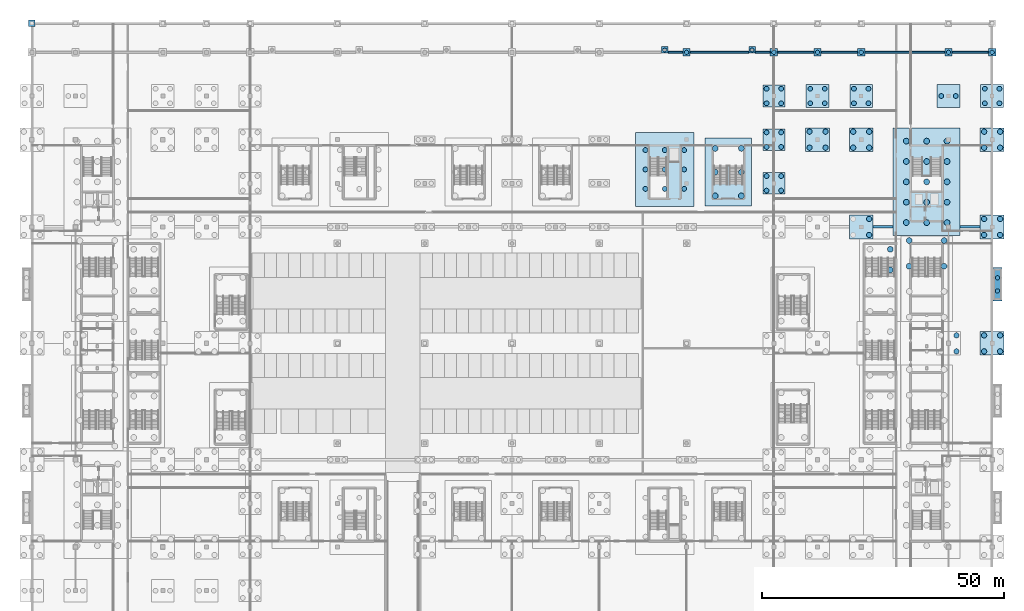
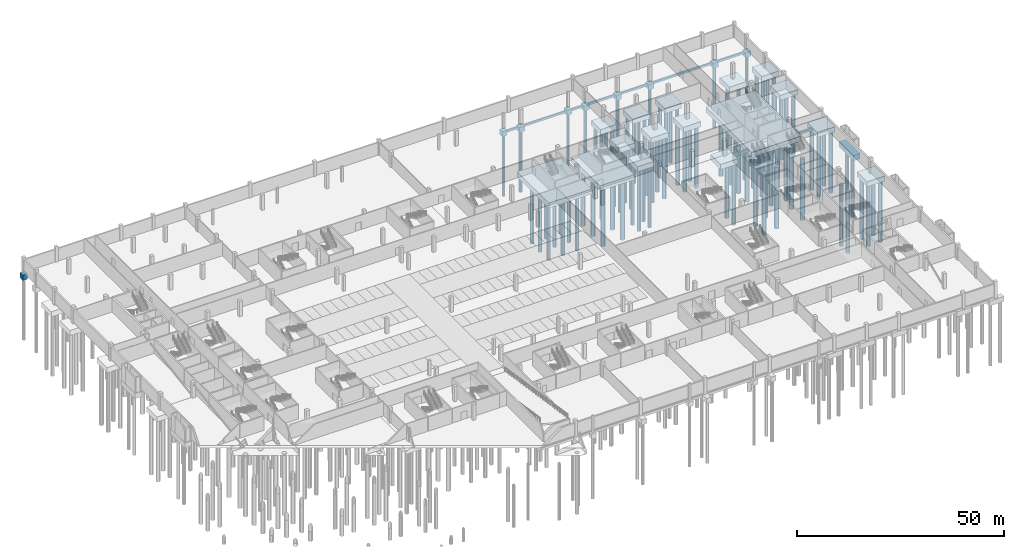
# One storey, part 7 of 46: 96 piles, 35 footings.
"""IFC4 building model written with IfcOpenShell, lengths in metres."""

from ifc_helpers import new_model, si_unit, direction, frame, origin, origin_2d, place, context, subcontext, project, spatial, polyline, circle, outline, extrude, material, material_profile, profile_set, type_object, element, save


model = new_model("IFC4")

# Units and contexts
model_context = context("Model", 3, precision=1e-05, world=origin(), true_north=direction((0.0, 1.0)))
body_context = subcontext(model_context, "Body", "Model", "MODEL_VIEW")
ifc_project = project(units=[si_unit("LENGTHUNIT", "METRE"), si_unit("AREAUNIT", "SQUARE_METRE"), si_unit("VOLUMEUNIT", "CUBIC_METRE"), si_unit("PLANEANGLEUNIT", "RADIAN"), si_unit("MASSUNIT", "GRAM", prefix="KILO")], contexts=[model_context])

# Site, building, storey
site_placement = place(None, origin())
site = spatial("IfcSite", under=ifc_project, at=site_placement, CompositionType="ELEMENT")
building_placement = place(site_placement, origin())
building = spatial("IfcBuilding", under=site, at=building_placement, Name="Kisiwana Market Hall", CompositionType="ELEMENT")
storey_placement = place(building_placement, frame((0.0, 0.0, -4.5)))
storey = spatial("IfcBuildingStorey", under=building, at=storey_placement, Name="B1", CompositionType="ELEMENT", Elevation=-4.5)

# Footings
ifc_material_1 = material(Name="Concrete C40/50", Category="concrete")
footing_type_1 = type_object("IfcFootingType", Name="FB-TIE-400x650", PredefinedType="FOOTING_BEAM", material=ifc_material_1)
footing_1_placement = place(storey_placement, frame((0.0, 0.0, -1.10009765625)))
element("IfcFooting", 1, at=footing_1_placement, inside=storey, type_object=footing_type_1, Name="Ground tie beam F-265", PredefinedType="FOOTING_BEAM", context=body_context, shape_type="SweptSolid", body=[
    extrude(outline(polyline([(131.175048828125, 119.800048828125), (134.25, 119.800048828125), (134.25, 120.199951171875), (131.175048828125, 120.199951171875), (131.175048828125, 119.800048828125)])), origin(), (0.0, 0.0, 1.0), 0.650146484375),
])
footing_2_placement = place(storey_placement, frame((0.0, 0.0, -1.10009765625)))
element("IfcFooting", 2, at=footing_2_placement, inside=storey, type_object=footing_type_1, Name="Ground tie beam F-266", PredefinedType="FOOTING_BEAM", context=body_context, shape_type="SweptSolid", body=[
    extrude(outline(polyline([(135.75, 119.800048828125), (147.824951171875, 119.800048828125), (147.824951171875, 120.199951171875), (135.75, 120.199951171875), (135.75, 119.800048828125)])), origin(), (0.0, 0.0, 1.0), 0.650146484375),
])
footing_3_placement = place(storey_placement, frame((0.0, 0.0, -1.10009765625)))
element("IfcFooting", 3, at=footing_3_placement, inside=storey, type_object=footing_type_1, Name="Ground tie beam F-267", PredefinedType="FOOTING_BEAM", context=body_context, shape_type="SweptSolid", body=[
    extrude(outline(polyline([(149.175048828125, 119.800048828125), (152.25, 119.800048828125), (152.25, 120.199951171875), (149.175048828125, 120.199951171875), (149.175048828125, 119.800048828125)])), origin(), (0.0, 0.0, 1.0), 0.650146484375),
])
footing_4_placement = place(storey_placement, frame((0.0, 0.0, -1.10009765625)))
element("IfcFooting", 4, at=footing_4_placement, inside=storey, type_object=footing_type_1, Name="Ground tie beam F-268", PredefinedType="FOOTING_BEAM", context=body_context, shape_type="SweptSolid", body=[
    extrude(outline(polyline([(153.75, 119.800048828125), (161.25, 119.800048828125), (161.25, 120.199951171875), (153.75, 120.199951171875), (153.75, 119.800048828125)])), origin(), (0.0, 0.0, 1.0), 0.650146484375),
])
footing_5_placement = place(storey_placement, frame((0.0, 0.0, -1.10009765625)))
element("IfcFooting", 5, at=footing_5_placement, inside=storey, type_object=footing_type_1, Name="Ground tie beam F-269", PredefinedType="FOOTING_BEAM", context=body_context, shape_type="SweptSolid", body=[
    extrude(outline(polyline([(162.75, 119.800048828125), (170.25, 119.800048828125), (170.25, 120.199951171875), (162.75, 120.199951171875), (162.75, 119.800048828125)])), origin(), (0.0, 0.0, 1.0), 0.650146484375),
])
footing_6_placement = place(storey_placement, frame((0.0, 0.0, -1.10009765625)))
element("IfcFooting", 6, at=footing_6_placement, inside=storey, type_object=footing_type_1, Name="Ground tie beam F-270", PredefinedType="FOOTING_BEAM", context=body_context, shape_type="SweptSolid", body=[
    extrude(outline(polyline([(171.75, 119.800048828125), (188.25, 119.800048828125), (188.25, 120.199951171875), (171.75, 120.199951171875), (171.75, 119.800048828125)])), origin(), (0.0, 0.0, 1.0), 0.650146484375),
])
footing_7_placement = place(storey_placement, frame((0.0, 0.0, -1.10009765625)))
element("IfcFooting", 7, at=footing_7_placement, inside=storey, type_object=footing_type_1, Name="Ground tie beam F-271", PredefinedType="FOOTING_BEAM", context=body_context, shape_type="SweptSolid", body=[
    extrude(outline(polyline([(189.75, 119.800048828125), (197.25, 119.800048828125), (197.25, 120.199951171875), (189.75, 120.199951171875), (189.75, 119.800048828125)])), origin(), (0.0, 0.0, 1.0), 0.650146484375),
])
ifc_material_2 = material(Name="Concrete C40/50", Category="concrete")
footing_type_2 = type_object("IfcFootingType", Name="FB-TIE-500x750", PredefinedType="FOOTING_BEAM", material=ifc_material_2)
footing_8_placement = place(storey_placement, frame((0.0, 0.0, -1.199951171875)))
element("IfcFooting", 8, at=footing_8_placement, inside=storey, type_object=footing_type_2, Name="Ground tie beam F-250", PredefinedType="FOOTING_BEAM", context=body_context, shape_type="SweptSolid", body=[
    extrude(outline(polyline([(173.449951171875, 83.75), (177.60009765625, 83.75), (177.60009765625, 84.25), (173.449951171875, 84.25), (173.449951171875, 83.75)])), origin(), (0.0, 0.0, 1.0), 0.75),
])
footing_9_placement = place(storey_placement, frame((0.0, 0.0, -1.199951171875)))
element("IfcFooting", 9, at=footing_9_placement, inside=storey, type_object=footing_type_2, Name="Ground tie beam F-251", PredefinedType="FOOTING_BEAM", context=body_context, shape_type="SweptSolid", body=[
    extrude(outline(polyline([(191.39990234375, 83.75), (195.550048828125, 83.75), (195.550048828125, 84.25), (191.39990234375, 84.25), (191.39990234375, 83.75)])), origin(), (0.0, 0.0, 1.0), 0.75),
])
ifc_material_3 = material(Name="Concrete C40/50", Category="concrete")
footing_type_3 = type_object("IfcFootingType", Name="PC-1P-800", PredefinedType="PILE_CAP", material=ifc_material_3)
footing_10_placement = place(storey_placement, frame((0.0, 0.0, -1.949951171875)))
element("IfcFooting", 10, at=footing_10_placement, inside=storey, type_object=footing_type_3, Name="Pile cap F-011 at R/1", PredefinedType="PILE_CAP", context=body_context, shape_type="SweptSolid", body=[
    extrude(outline(polyline([(-0.675048828125, 125.324951171875), (0.675048828125, 125.324951171875), (0.675048828125, 126.675048828125), (-0.675048828125, 126.675048828125), (-0.675048828125, 125.324951171875)])), origin(), (0.0, 0.0, 1.0), 1.5),
])
footing_11_placement = place(storey_placement, frame((0.0, 0.0, -1.949951171875)))
element("IfcFooting", 11, at=footing_11_placement, inside=storey, type_object=footing_type_3, Name="Pilaster cap F-148", PredefinedType="PILE_CAP", context=body_context, shape_type="SweptSolid", body=[
    extrude(outline(polyline([(129.824951171875, 119.824951171875), (131.175048828125, 119.824951171875), (131.175048828125, 121.175048828125), (129.824951171875, 121.175048828125), (129.824951171875, 119.824951171875)])), origin(), (0.0, 0.0, 1.0), 1.5),
])
footing_12_placement = place(storey_placement, frame((0.0, 0.0, -1.949951171875)))
element("IfcFooting", 12, at=footing_12_placement, inside=storey, type_object=footing_type_3, Name="Pilaster cap F-149", PredefinedType="PILE_CAP", context=body_context, shape_type="SweptSolid", body=[
    extrude(outline(polyline([(147.824951171875, 119.824951171875), (149.175048828125, 119.824951171875), (149.175048828125, 121.175048828125), (147.824951171875, 121.175048828125), (147.824951171875, 119.824951171875)])), origin(), (0.0, 0.0, 1.0), 1.5),
])
ifc_material_4 = material(Name="Concrete C40/50", Category="concrete")
footing_type_4 = type_object("IfcFootingType", Name="PC-1P-900", PredefinedType="PILE_CAP", material=ifc_material_4)
footing_13_placement = place(storey_placement, frame((0.0, 0.0, -1.949951171875)))
element("IfcFooting", 13, at=footing_13_placement, inside=storey, type_object=footing_type_4, Name="Pile cap F-091 at Q/16", PredefinedType="PILE_CAP", context=body_context, shape_type="SweptSolid", body=[
    extrude(outline(polyline([(134.25, 119.25), (135.75, 119.25), (135.75, 120.75), (134.25, 120.75), (134.25, 119.25)])), origin(), (0.0, 0.0, 1.0), 1.5),
])
footing_14_placement = place(storey_placement, frame((0.0, 0.0, -1.949951171875)))
element("IfcFooting", 14, at=footing_14_placement, inside=storey, type_object=footing_type_4, Name="Pile cap F-103 at Q/18", PredefinedType="PILE_CAP", context=body_context, shape_type="SweptSolid", body=[
    extrude(outline(polyline([(152.25, 119.25), (153.75, 119.25), (153.75, 120.75), (152.25, 120.75), (152.25, 119.25)])), origin(), (0.0, 0.0, 1.0), 1.5),
])
footing_15_placement = place(storey_placement, frame((0.0, 0.0, -1.949951171875)))
element("IfcFooting", 15, at=footing_15_placement, inside=storey, type_object=footing_type_4, Name="Pile cap F-112 at Q/19", PredefinedType="PILE_CAP", context=body_context, shape_type="SweptSolid", body=[
    extrude(outline(polyline([(161.25, 119.25), (162.75, 119.25), (162.75, 120.75), (161.25, 120.75), (161.25, 119.25)])), origin(), (0.0, 0.0, 1.0), 1.5),
])
footing_16_placement = place(storey_placement, frame((0.0, 0.0, -1.949951171875)))
element("IfcFooting", 16, at=footing_16_placement, inside=storey, type_object=footing_type_4, Name="Pile cap F-121 at Q/20", PredefinedType="PILE_CAP", context=body_context, shape_type="SweptSolid", body=[
    extrude(outline(polyline([(170.25, 119.25), (171.75, 119.25), (171.75, 120.75), (170.25, 120.75), (170.25, 119.25)])), origin(), (0.0, 0.0, 1.0), 1.5),
])
footing_17_placement = place(storey_placement, frame((0.0, 0.0, -1.949951171875)))
element("IfcFooting", 17, at=footing_17_placement, inside=storey, type_object=footing_type_4, Name="Pile cap F-126 at Q/22", PredefinedType="PILE_CAP", context=body_context, shape_type="SweptSolid", body=[
    extrude(outline(polyline([(188.25, 119.25), (189.75, 119.25), (189.75, 120.75), (188.25, 120.75), (188.25, 119.25)])), origin(), (0.0, 0.0, 1.0), 1.5),
])
footing_18_placement = place(storey_placement, frame((0.0, 0.0, -1.949951171875)))
element("IfcFooting", 18, at=footing_18_placement, inside=storey, type_object=footing_type_4, Name="Pile cap F-136 at Q/23", PredefinedType="PILE_CAP", context=body_context, shape_type="SweptSolid", body=[
    extrude(outline(polyline([(197.25, 119.25), (198.75, 119.25), (198.75, 120.75), (197.25, 120.75), (197.25, 119.25)])), origin(), (0.0, 0.0, 1.0), 1.5),
])
ifc_material_5 = material(Name="Concrete C40/50", Category="concrete")
footing_type_5 = type_object("IfcFootingType", Name="PC-2P-900V", PredefinedType="PILE_CAP", material=ifc_material_5)
footing_19_placement = place(storey_placement, frame((0.0, 0.0, -1.949951171875)))
element("IfcFooting", 19, at=footing_19_placement, inside=storey, type_object=footing_type_5, Name="Ramp foundation cap F-199", PredefinedType="PILE_CAP", context=body_context, shape_type="SweptSolid", body=[
    extrude(outline(polyline([(198.14990234375, 68.699951171875), (200.050048828125, 68.699951171875), (200.050048828125, 75.60009765625), (198.14990234375, 75.60009765625), (198.14990234375, 68.699951171875)])), origin(), (0.0, 0.0, 1.0), 1.5),
])
ifc_material_6 = material(Name="Concrete C40/50", Category="concrete")
footing_type_6 = type_object("IfcFootingType", Name="PC-4P-1000", PredefinedType="PILE_CAP", material=ifc_material_6)
footing_20_placement = place(storey_placement, frame((0.0, 0.0, -1.949951171875)))
element("IfcFooting", 20, at=footing_20_placement, inside=storey, type_object=footing_type_6, Name="Pile cap F-100 at M/18", PredefinedType="PILE_CAP", context=body_context, shape_type="SweptSolid", body=[
    extrude(outline(polyline([(150.75, 90.75), (155.25, 90.75), (155.25, 95.25), (150.75, 95.25), (150.75, 90.75)])), origin(), (0.0, 0.0, 1.0), 1.5),
])
footing_21_placement = place(storey_placement, frame((0.0, 0.0, -1.949951171875)))
element("IfcFooting", 21, at=footing_21_placement, inside=storey, type_object=footing_type_6, Name="Pile cap F-101 at N/18", PredefinedType="PILE_CAP", context=body_context, shape_type="SweptSolid", body=[
    extrude(outline(polyline([(150.75, 99.75), (155.25, 99.75), (155.25, 104.25), (150.75, 104.25), (150.75, 99.75)])), origin(), (0.0, 0.0, 1.0), 1.5),
])
footing_22_placement = place(storey_placement, frame((0.0, 0.0, -1.949951171875)))
element("IfcFooting", 22, at=footing_22_placement, inside=storey, type_object=footing_type_6, Name="Pile cap F-102 at P/18", PredefinedType="PILE_CAP", context=body_context, shape_type="SweptSolid", body=[
    extrude(outline(polyline([(150.75, 108.75), (155.25, 108.75), (155.25, 113.25), (150.75, 113.25), (150.75, 108.75)])), origin(), (0.0, 0.0, 1.0), 1.5),
])
ifc_material_7 = material(Name="Concrete C40/50", Category="concrete")
footing_type_7 = type_object("IfcFootingType", Name="PC-4P-1050", PredefinedType="PILE_CAP", material=ifc_material_7)
footing_23_placement = place(storey_placement, frame((0.0, 0.0, -1.949951171875)))
element("IfcFooting", 23, at=footing_23_placement, inside=storey, type_object=footing_type_7, Name="Pile cap F-111 at P/19", PredefinedType="PILE_CAP", context=body_context, shape_type="SweptSolid", body=[
    extrude(outline(polyline([(159.64990234375, 108.64990234375), (164.35009765625, 108.64990234375), (164.35009765625, 113.35009765625), (159.64990234375, 113.35009765625), (159.64990234375, 108.64990234375)])), origin(), (0.0, 0.0, 1.0), 1.5),
])
footing_24_placement = place(storey_placement, frame((0.0, 0.0, -1.949951171875)))
element("IfcFooting", 24, at=footing_24_placement, inside=storey, type_object=footing_type_7, Name="Pile cap F-120 at P/20", PredefinedType="PILE_CAP", context=body_context, shape_type="SweptSolid", body=[
    extrude(outline(polyline([(168.64990234375, 108.64990234375), (173.35009765625, 108.64990234375), (173.35009765625, 113.35009765625), (168.64990234375, 113.35009765625), (168.64990234375, 108.64990234375)])), origin(), (0.0, 0.0, 1.0), 1.5),
])
footing_25_placement = place(storey_placement, frame((0.0, 0.0, -1.949951171875)))
element("IfcFooting", 25, at=footing_25_placement, inside=storey, type_object=footing_type_7, Name="Pile cap F-125 at P/22", PredefinedType="PILE_CAP", context=body_context, shape_type="SweptSolid", body=[
    extrude(outline(polyline([(186.64990234375, 108.64990234375), (191.35009765625, 108.64990234375), (191.35009765625, 113.35009765625), (186.64990234375, 113.35009765625), (186.64990234375, 108.64990234375)])), origin(), (0.0, 0.0, 1.0), 1.5),
])
footing_26_placement = place(storey_placement, frame((0.0, 0.0, -1.949951171875)))
element("IfcFooting", 26, at=footing_26_placement, inside=storey, type_object=footing_type_7, Name="Pile cap F-135 at P/23", PredefinedType="PILE_CAP", context=body_context, shape_type="SweptSolid", body=[
    extrude(outline(polyline([(195.64990234375, 108.64990234375), (200.35009765625, 108.64990234375), (200.35009765625, 113.35009765625), (195.64990234375, 113.35009765625), (195.64990234375, 108.64990234375)])), origin(), (0.0, 0.0, 1.0), 1.5),
])
ifc_material_8 = material(Name="Concrete C40/50", Category="concrete")
footing_type_8 = type_object("IfcFootingType", Name="PC-4P-1100", PredefinedType="PILE_CAP", material=ifc_material_8)
footing_27_placement = place(storey_placement, frame((0.0, 0.0, -1.949951171875)))
element("IfcFooting", 27, at=footing_27_placement, inside=storey, type_object=footing_type_8, Name="Pile cap F-110 at N/19", PredefinedType="PILE_CAP", context=body_context, shape_type="SweptSolid", body=[
    extrude(outline(polyline([(159.550048828125, 99.550048828125), (164.449951171875, 99.550048828125), (164.449951171875, 104.449951171875), (159.550048828125, 104.449951171875), (159.550048828125, 99.550048828125)])), origin(), (0.0, 0.0, 1.0), 1.5),
])
footing_28_placement = place(storey_placement, frame((0.0, 0.0, -1.949951171875)))
element("IfcFooting", 28, at=footing_28_placement, inside=storey, type_object=footing_type_8, Name="Pile cap F-118 at L/20", PredefinedType="PILE_CAP", context=body_context, shape_type="SweptSolid", body=[
    extrude(outline(polyline([(168.550048828125, 81.550048828125), (173.449951171875, 81.550048828125), (173.449951171875, 86.449951171875), (168.550048828125, 86.449951171875), (168.550048828125, 81.550048828125)])), origin(), (0.0, 0.0, 1.0), 1.5),
])
footing_29_placement = place(storey_placement, frame((0.0, 0.0, -1.949951171875)))
element("IfcFooting", 29, at=footing_29_placement, inside=storey, type_object=footing_type_8, Name="Pile cap F-119 at N/20", PredefinedType="PILE_CAP", context=body_context, shape_type="SweptSolid", body=[
    extrude(outline(polyline([(168.550048828125, 99.550048828125), (173.449951171875, 99.550048828125), (173.449951171875, 104.449951171875), (168.550048828125, 104.449951171875), (168.550048828125, 99.550048828125)])), origin(), (0.0, 0.0, 1.0), 1.5),
])
footing_30_placement = place(storey_placement, frame((0.0, 0.0, -1.949951171875)))
element("IfcFooting", 30, at=footing_30_placement, inside=storey, type_object=footing_type_8, Name="Pile cap F-132 at H/23", PredefinedType="PILE_CAP", context=body_context, shape_type="SweptSolid", body=[
    extrude(outline(polyline([(195.550048828125, 57.550048828125), (200.449951171875, 57.550048828125), (200.449951171875, 62.449951171875), (195.550048828125, 62.449951171875), (195.550048828125, 57.550048828125)])), origin(), (0.0, 0.0, 1.0), 1.5),
])
footing_31_placement = place(storey_placement, frame((0.0, 0.0, -1.949951171875)))
element("IfcFooting", 31, at=footing_31_placement, inside=storey, type_object=footing_type_8, Name="Pile cap F-133 at L/23", PredefinedType="PILE_CAP", context=body_context, shape_type="SweptSolid", body=[
    extrude(outline(polyline([(195.550048828125, 81.550048828125), (200.449951171875, 81.550048828125), (200.449951171875, 86.449951171875), (195.550048828125, 86.449951171875), (195.550048828125, 81.550048828125)])), origin(), (0.0, 0.0, 1.0), 1.5),
])
footing_32_placement = place(storey_placement, frame((0.0, 0.0, -1.949951171875)))
element("IfcFooting", 32, at=footing_32_placement, inside=storey, type_object=footing_type_8, Name="Pile cap F-134 at N/23", PredefinedType="PILE_CAP", context=body_context, shape_type="SweptSolid", body=[
    extrude(outline(polyline([(195.550048828125, 99.550048828125), (200.449951171875, 99.550048828125), (200.449951171875, 104.449951171875), (195.550048828125, 104.449951171875), (195.550048828125, 99.550048828125)])), origin(), (0.0, 0.0, 1.0), 1.5),
])
ifc_material_9 = material(Name="Concrete C40/50", Category="concrete")
footing_type_9 = type_object("IfcFootingType", Name="PC-ESC-RAFT", PredefinedType="PILE_CAP", material=ifc_material_9)
footing_33_placement = place(storey_placement, frame((0.0, 0.0, -1.949951171875)))
element("IfcFooting", 33, at=footing_33_placement, inside=storey, type_object=footing_type_9, Name="Core raft pile cap N6 F-178", PredefinedType="PILE_CAP", context=body_context, shape_type="SweptSolid", body=[
    extrude(outline(polyline([(138.800048828125, 88.300048828125), (148.39990234375, 88.300048828125), (148.39990234375, 102.300048828125), (138.800048828125, 102.300048828125), (138.800048828125, 88.300048828125)])), origin(), (0.0, 0.0, 1.0), 1.5),
])
ifc_material_10 = material(Name="Concrete C40/50", Category="concrete")
footing_type_10 = type_object("IfcFootingType", Name="PC-MAIN-RAFT", PredefinedType="PILE_CAP", material=ifc_material_10)
footing_34_placement = place(storey_placement, frame((0.0, 0.0, -1.949951171875)))
element("IfcFooting", 34, at=footing_34_placement, inside=storey, type_object=footing_type_10, Name="Core raft pile cap E1 F-164", PredefinedType="PILE_CAP", context=body_context, shape_type="SweptSolid", body=[
    extrude(outline(polyline([(177.60009765625, 82.199951171875), (191.39990234375, 82.199951171875), (191.39990234375, 104.39990234375), (177.60009765625, 104.39990234375), (177.60009765625, 82.199951171875)])), origin(), (0.0, 0.0, 1.0), 1.5),
])
ifc_material_11 = material(Name="Concrete C40/50", Category="concrete")
footing_type_11 = type_object("IfcFootingType", Name="PC-POD-RAFT", PredefinedType="PILE_CAP", material=ifc_material_11)
footing_35_placement = place(storey_placement, frame((0.0, 0.0, -1.949951171875)))
element("IfcFooting", 35, at=footing_35_placement, inside=storey, type_object=footing_type_11, Name="Podium core pile cap N2 F-174", PredefinedType="PILE_CAP", context=body_context, shape_type="SweptSolid", body=[
    extrude(outline(polyline([(124.5, 88.199951171875), (136.5, 88.199951171875), (136.5, 103.5), (124.5, 103.5), (124.5, 88.199951171875)])), origin(), (0.0, 0.0, 1.0), 1.5),
])

# Piles
ifc_material_12 = material(Name="Concrete C40/50", Category="concrete")
ifc_material_profile_1 = material_profile(ifc_material_12, circle(Radius=0.5, at=origin_2d()), Name="BP D1000")
ifc_profile_set_1 = profile_set([ifc_material_profile_1], Name="Concrete C40/50")
pile_type_1 = type_object("IfcPileType", Name="PILE-D1000", PredefinedType="BORED", material=ifc_profile_set_1)
for number, where, z_axis, x_axis, name in (
    (36, (126.5, 91.85009765625, -1.85009765625), (0.0, 0.0, -1.0), (1.0, 0.0, 0.0), "Bored pile P-088"),
    (37, (126.5, 95.85009765625, -1.85009765625), (0.0, 0.0, -1.0), (1.0, 0.0, 0.0), "Bored pile P-089"),
    (38, (126.5, 99.85009765625, -1.85009765625), (0.0, 0.0, -1.0), (1.0, 0.0, 0.0), "Bored pile P-090"),
    (39, (130.5, 91.85009765625, -1.85009765625), (0.0, 0.0, -1.0), (1.0, 0.0, 0.0), "Bored pile P-091"),
    (40, (130.5, 95.85009765625, -1.85009765625), (0.0, 0.0, -1.0), (1.0, 0.0, 0.0), "Bored pile P-092"),
    (41, (130.5, 99.85009765625, -1.85009765625), (0.0, 0.0, -1.0), (1.0, 0.0, 0.0), "Bored pile P-093"),
    (42, (134.5, 91.85009765625, -1.85009765625), (0.0, 0.0, -1.0), (1.0, 0.0, 0.0), "Bored pile P-094"),
    (43, (134.5, 95.85009765625, -1.85009765625), (0.0, 0.0, -1.0), (1.0, 0.0, 0.0), "Bored pile P-095"),
    (44, (134.5, 99.85009765625, -1.85009765625), (0.0, 0.0, -1.0), (1.0, 0.0, 0.0), "Bored pile P-096"),
    (45, (151.5, 91.5, -1.85009765625), (0.0, 0.0, -1.0), (1.0, 0.0, 0.0), "Bored pile P-342"),
    (46, (154.5, 91.5, -1.85009765625), (0.0, 0.0, -1.0), (1.0, 0.0, 0.0), "Bored pile P-343"),
    (47, (151.5, 94.5, -1.85009765625), (0.0, 0.0, -1.0), (1.0, 0.0, 0.0), "Bored pile P-344"),
    (48, (154.5, 94.5, -1.85009765625), (0.0, 0.0, -1.0), (1.0, 0.0, 0.0), "Bored pile P-345"),
    (49, (151.5, 100.5, -1.85009765625), (0.0, 0.0, -1.0), (1.0, 0.0, 0.0), "Bored pile P-346"),
    (50, (154.5, 100.5, -1.85009765625), (0.0, 0.0, -1.0), (1.0, 0.0, 0.0), "Bored pile P-347"),
    (51, (151.5, 103.5, -1.85009765625), (0.0, 0.0, -1.0), (1.0, 0.0, 0.0), "Bored pile P-348"),
    (52, (154.5, 103.5, -1.85009765625), (0.0, 0.0, -1.0), (1.0, 0.0, 0.0), "Bored pile P-349"),
    (53, (151.5, 109.5, -1.85009765625), (0.0, 0.0, -1.0), (1.0, 0.0, 0.0), "Bored pile P-350"),
    (54, (154.5, 109.5, -1.85009765625), (0.0, 0.0, -1.0), (1.0, 0.0, 0.0), "Bored pile P-351"),
    (55, (151.5, 112.5, -1.85009765625), (0.0, 0.0, -1.0), (1.0, 0.0, 0.0), "Bored pile P-352"),
    (56, (154.5, 112.5, -1.85009765625), (0.0, 0.0, -1.0), (1.0, 0.0, 0.0), "Bored pile P-353"),
    (57, (160.5, 109.5, -1.85009765625), (0.0, 0.0, -1.0), (1.0, 0.0, 0.0), "Bored pile P-376"),
    (58, (163.5, 109.5, -1.85009765625), (0.0, 0.0, -1.0), (1.0, 0.0, 0.0), "Bored pile P-377"),
    (59, (160.5, 112.5, -1.85009765625), (0.0, 0.0, -1.0), (1.0, 0.0, 0.0), "Bored pile P-378"),
    (60, (163.5, 112.5, -1.85009765625), (0.0, 0.0, -1.0), (1.0, 0.0, 0.0), "Bored pile P-379"),
    (61, (169.5, 109.5, -1.85009765625), (0.0, 0.0, -1.0), (1.0, 0.0, 0.0), "Bored pile P-402"),
    (62, (172.5, 109.5, -1.85009765625), (0.0, 0.0, -1.0), (1.0, 0.0, 0.0), "Bored pile P-403"),
    (63, (169.5, 112.5, -1.85009765625), (0.0, 0.0, -1.0), (1.0, 0.0, 0.0), "Bored pile P-404"),
    (64, (172.5, 112.5, -1.85009765625), (0.0, 0.0, -1.0), (1.0, 0.0, 0.0), "Bored pile P-405"),
    (65, (187.5, 111.0, -1.85009765625), (0.0, 0.0, -1.0), (1.0, 0.0, 0.0), "Bored pile P-412"),
    (66, (190.5, 111.0, -1.85009765625), (0.0, 0.0, -1.0), (1.0, 0.0, 0.0), "Bored pile P-413"),
    (67, (196.5, 109.5, -1.85009765625), (0.0, 0.0, -1.0), (1.0, 0.0, 0.0), "Bored pile P-440"),
    (68, (199.5, 109.5, -1.85009765625), (0.0, 0.0, -1.0), (1.0, 0.0, 0.0), "Bored pile P-441"),
    (69, (196.5, 112.5, -1.85009765625), (0.0, 0.0, -1.0), (1.0, 0.0, 0.0), "Bored pile P-442"),
    (70, (199.5, 112.5, -1.85009765625), (0.0, 0.0, -1.0), (1.0, 0.0, 0.0), "Bored pile P-443"),
):
    element("IfcPile", number, at=place(storey_placement, frame(where, z_axis=z_axis, x_axis=x_axis)), inside=storey, type_object=pile_type_1, Name=name, PredefinedType="BORED", context=body_context, shape_type="SweptSolid", body=[
        extrude(circle(Radius=0.5, at=origin_2d()), origin(), (0.0, 0.0, 1.0), 18.10009765625),
    ])
ifc_material_13 = material(Name="Concrete C40/50", Category="concrete")
ifc_material_profile_2 = material_profile(ifc_material_13, circle(Radius=0.550048828125, at=origin_2d()), Name="BP D1100")
ifc_profile_set_2 = profile_set([ifc_material_profile_2], Name="Concrete C40/50")
pile_type_2 = type_object("IfcPileType", Name="PILE-D1100", PredefinedType="BORED", material=ifc_profile_set_2)
for number, where, z_axis, x_axis, name in (
    (71, (160.35009765625, 100.35009765625, -1.85009765625), (0.0, 0.0, -1.0), (1.0, 0.0, 0.0), "Bored pile P-372"),
    (72, (163.64990234375, 100.35009765625, -1.85009765625), (0.0, 0.0, -1.0), (1.0, 0.0, 0.0), "Bored pile P-373"),
    (73, (160.35009765625, 103.64990234375, -1.85009765625), (0.0, 0.0, -1.0), (1.0, 0.0, 0.0), "Bored pile P-374"),
    (74, (163.64990234375, 103.64990234375, -1.85009765625), (0.0, 0.0, -1.0), (1.0, 0.0, 0.0), "Bored pile P-375"),
    (75, (172.64990234375, 82.35009765625, -1.85009765625), (0.0, 0.0, -1.0), (1.0, 0.0, 0.0), "Bored pile P-395"),
    (76, (172.64990234375, 85.64990234375, -1.85009765625), (0.0, 0.0, -1.0), (1.0, 0.0, 0.0), "Bored pile P-397"),
    (77, (169.35009765625, 100.35009765625, -1.85009765625), (0.0, 0.0, -1.0), (1.0, 0.0, 0.0), "Bored pile P-398"),
    (78, (172.64990234375, 100.35009765625, -1.85009765625), (0.0, 0.0, -1.0), (1.0, 0.0, 0.0), "Bored pile P-399"),
    (79, (169.35009765625, 103.64990234375, -1.85009765625), (0.0, 0.0, -1.0), (1.0, 0.0, 0.0), "Bored pile P-400"),
    (80, (172.64990234375, 103.64990234375, -1.85009765625), (0.0, 0.0, -1.0), (1.0, 0.0, 0.0), "Bored pile P-401"),
    (81, (196.35009765625, 58.35009765625, -1.85009765625), (0.0, 0.0, -1.0), (1.0, 0.0, 0.0), "Bored pile P-428"),
    (82, (199.64990234375, 58.35009765625, -1.85009765625), (0.0, 0.0, -1.0), (1.0, 0.0, 0.0), "Bored pile P-429"),
    (83, (196.35009765625, 61.64990234375, -1.85009765625), (0.0, 0.0, -1.0), (1.0, 0.0, 0.0), "Bored pile P-430"),
    (84, (199.64990234375, 61.64990234375, -1.85009765625), (0.0, 0.0, -1.0), (1.0, 0.0, 0.0), "Bored pile P-431"),
    (85, (196.35009765625, 82.35009765625, -1.85009765625), (0.0, 0.0, -1.0), (1.0, 0.0, 0.0), "Bored pile P-432"),
    (86, (199.64990234375, 82.35009765625, -1.85009765625), (0.0, 0.0, -1.0), (1.0, 0.0, 0.0), "Bored pile P-433"),
    (87, (196.35009765625, 85.64990234375, -1.85009765625), (0.0, 0.0, -1.0), (1.0, 0.0, 0.0), "Bored pile P-434"),
    (88, (199.64990234375, 85.64990234375, -1.85009765625), (0.0, 0.0, -1.0), (1.0, 0.0, 0.0), "Bored pile P-435"),
    (89, (196.35009765625, 100.35009765625, -1.85009765625), (0.0, 0.0, -1.0), (1.0, 0.0, 0.0), "Bored pile P-436"),
    (90, (199.64990234375, 100.35009765625, -1.85009765625), (0.0, 0.0, -1.0), (1.0, 0.0, 0.0), "Bored pile P-437"),
    (91, (196.35009765625, 103.64990234375, -1.85009765625), (0.0, 0.0, -1.0), (1.0, 0.0, 0.0), "Bored pile P-438"),
    (92, (199.64990234375, 103.64990234375, -1.85009765625), (0.0, 0.0, -1.0), (1.0, 0.0, 0.0), "Bored pile P-439"),
    (93, (190.64990234375, 58.35009765625, -1.85009765625), (0.0, 0.0, -1.0), (1.0, 0.0, 0.0), "Bored pile P-627"),
    (94, (190.64990234375, 61.64990234375, -1.85009765625), (0.0, 0.0, -1.0), (1.0, 0.0, 0.0), "Bored pile P-629"),
):
    element("IfcPile", number, at=place(storey_placement, frame(where, z_axis=z_axis, x_axis=x_axis)), inside=storey, type_object=pile_type_2, Name=name, PredefinedType="BORED", context=body_context, shape_type="SweptSolid", body=[
        extrude(circle(Radius=0.550048828125, at=origin_2d()), origin(), (0.0, 0.0, 1.0), 18.10009765625),
    ])
ifc_material_14 = material(Name="Concrete C40/50", Category="concrete")
ifc_material_profile_3 = material_profile(ifc_material_14, circle(Radius=0.60009765625, at=origin_2d()), Name="BP D1200")
ifc_profile_set_3 = profile_set([ifc_material_profile_3], Name="Concrete C40/50")
pile_type_3 = type_object("IfcPileType", Name="PILE-D1200", PredefinedType="BORED", material=ifc_profile_set_3)
for number, where, z_axis, x_axis, name in (
    (95, (180.300048828125, 84.89990234375, -1.85009765625), (0.0, 0.0, -1.0), (1.0, 0.0, 0.0), "Bored pile P-046"),
    (96, (180.300048828125, 89.10009765625, -1.85009765625), (0.0, 0.0, -1.0), (1.0, 0.0, 0.0), "Bored pile P-047"),
    (97, (180.300048828125, 93.300048828125, -1.85009765625), (0.0, 0.0, -1.0), (1.0, 0.0, 0.0), "Bored pile P-048"),
    (98, (180.300048828125, 97.5, -1.85009765625), (0.0, 0.0, -1.0), (1.0, 0.0, 0.0), "Bored pile P-049"),
    (99, (180.300048828125, 101.699951171875, -1.85009765625), (0.0, 0.0, -1.0), (1.0, 0.0, 0.0), "Bored pile P-050"),
    (100, (184.5, 84.89990234375, -1.85009765625), (0.0, 0.0, -1.0), (1.0, 0.0, 0.0), "Bored pile P-051"),
    (101, (184.5, 89.10009765625, -1.85009765625), (0.0, 0.0, -1.0), (1.0, 0.0, 0.0), "Bored pile P-052"),
    (102, (184.5, 93.300048828125, -1.85009765625), (0.0, 0.0, -1.0), (1.0, 0.0, 0.0), "Bored pile P-053"),
    (103, (184.5, 97.5, -1.85009765625), (0.0, 0.0, -1.0), (1.0, 0.0, 0.0), "Bored pile P-054"),
    (104, (184.5, 101.699951171875, -1.85009765625), (0.0, 0.0, -1.0), (1.0, 0.0, 0.0), "Bored pile P-055"),
    (105, (188.699951171875, 84.89990234375, -1.85009765625), (0.0, 0.0, -1.0), (1.0, 0.0, 0.0), "Bored pile P-056"),
    (106, (188.699951171875, 89.10009765625, -1.85009765625), (0.0, 0.0, -1.0), (1.0, 0.0, 0.0), "Bored pile P-057"),
    (107, (188.699951171875, 93.300048828125, -1.85009765625), (0.0, 0.0, -1.0), (1.0, 0.0, 0.0), "Bored pile P-058"),
    (108, (188.699951171875, 97.5, -1.85009765625), (0.0, 0.0, -1.0), (1.0, 0.0, 0.0), "Bored pile P-059"),
    (109, (188.699951171875, 101.699951171875, -1.85009765625), (0.0, 0.0, -1.0), (1.0, 0.0, 0.0), "Bored pile P-060"),
    (110, (180.89990234375, 75.89990234375, -1.85009765625), (0.0, 0.0, -1.0), (1.0, 0.0, 0.0), "Bored pile P-496"),
    (111, (180.89990234375, 81.199951171875, -1.85009765625), (0.0, 0.0, -1.0), (1.0, 0.0, 0.0), "Bored pile P-497"),
    (112, (188.10009765625, 75.89990234375, -1.85009765625), (0.0, 0.0, -1.0), (1.0, 0.0, 0.0), "Bored pile P-500"),
    (113, (188.10009765625, 81.199951171875, -1.85009765625), (0.0, 0.0, -1.0), (1.0, 0.0, 0.0), "Bored pile P-501"),
    (114, (177.0, 75.133056640625, -1.85009765625), (0.0, 0.0, -1.0), (1.0, 0.0, 0.0), "Bored pile P-532"),
    (115, (177.0, 79.39990234375, -1.85009765625), (0.0, 0.0, -1.0), (1.0, 0.0, 0.0), "Bored pile P-533"),
    (116, (140.89990234375, 90.39990234375, -1.85009765625), (0.0, 0.0, -1.0), (1.0, 0.0, 0.0), "Bored pile P-608"),
    (117, (140.89990234375, 95.300048828125, -1.85009765625), (0.0, 0.0, -1.0), (1.0, 0.0, 0.0), "Bored pile P-609"),
    (118, (140.89990234375, 100.199951171875, -1.85009765625), (0.0, 0.0, -1.0), (1.0, 0.0, 0.0), "Bored pile P-610"),
    (119, (146.300048828125, 90.39990234375, -1.85009765625), (0.0, 0.0, -1.0), (1.0, 0.0, 0.0), "Bored pile P-611"),
    (120, (146.300048828125, 95.300048828125, -1.85009765625), (0.0, 0.0, -1.0), (1.0, 0.0, 0.0), "Bored pile P-612"),
    (121, (146.300048828125, 100.199951171875, -1.85009765625), (0.0, 0.0, -1.0), (1.0, 0.0, 0.0), "Bored pile P-613"),
):
    element("IfcPile", number, at=place(storey_placement, frame(where, z_axis=z_axis, x_axis=x_axis)), inside=storey, type_object=pile_type_3, Name=name, PredefinedType="BORED", context=body_context, shape_type="SweptSolid", body=[
        extrude(circle(Radius=0.60009765625, at=origin_2d()), origin(), (0.0, 0.0, 1.0), 18.10009765625),
    ])
ifc_material_15 = material(Name="Concrete C40/50", Category="concrete")
ifc_material_profile_4 = material_profile(ifc_material_15, circle(Radius=0.39990234375, at=origin_2d()), Name="BP D800")
ifc_profile_set_4 = profile_set([ifc_material_profile_4], Name="Concrete C40/50")
pile_type_4 = type_object("IfcPileType", Name="PILE-D800", PredefinedType="BORED", material=ifc_profile_set_4)
for number, where, z_axis, x_axis, name in (
    (122, (130.5, 120.5, -1.85009765625), (0.0, 0.0, -1.0), (1.0, 0.0, 0.0), "Bored pile P-456"),
    (123, (148.5, 120.5, -1.85009765625), (0.0, 0.0, -1.0), (1.0, 0.0, 0.0), "Bored pile P-457"),
):
    element("IfcPile", number, at=place(storey_placement, frame(where, z_axis=z_axis, x_axis=x_axis)), inside=storey, type_object=pile_type_4, Name=name, PredefinedType="BORED", context=body_context, shape_type="SweptSolid", body=[
        extrude(circle(Radius=0.39990234375, at=origin_2d()), origin(), (0.0, 0.0, 1.0), 18.10009765625),
    ])
ifc_material_16 = material(Name="Concrete C40/50", Category="concrete")
ifc_material_profile_5 = material_profile(ifc_material_16, circle(Radius=0.449951171875, at=origin_2d()), Name="BP D900")
ifc_profile_set_5 = profile_set([ifc_material_profile_5], Name="Concrete C40/50")
pile_type_5 = type_object("IfcPileType", Name="PILE-D900", PredefinedType="BORED", material=ifc_profile_set_5)
for number, where, z_axis, x_axis, name in (
    (124, (135.0, 120.0, -1.85009765625), (0.0, 0.0, -1.0), (1.0, 0.0, 0.0), "Bored pile P-314"),
    (125, (153.0, 120.0, -1.85009765625), (0.0, 0.0, -1.0), (1.0, 0.0, 0.0), "Bored pile P-354"),
    (126, (162.0, 120.0, -1.85009765625), (0.0, 0.0, -1.0), (1.0, 0.0, 0.0), "Bored pile P-380"),
    (127, (171.0, 120.0, -1.85009765625), (0.0, 0.0, -1.0), (1.0, 0.0, 0.0), "Bored pile P-406"),
    (128, (189.0, 120.0, -1.85009765625), (0.0, 0.0, -1.0), (1.0, 0.0, 0.0), "Bored pile P-414"),
    (129, (198.0, 120.0, -1.85009765625), (0.0, 0.0, -1.0), (1.0, 0.0, 0.0), "Bored pile P-444"),
    (130, (199.10009765625, 70.800048828125, -1.85009765625), (0.0, 0.0, -1.0), (1.0, 0.0, 0.0), "Ramp bored pile 6-1 P-640"),
    (131, (199.10009765625, 73.5, -1.85009765625), (0.0, 0.0, -1.0), (1.0, 0.0, 0.0), "Ramp bored pile 6-2 P-641"),
):
    element("IfcPile", number, at=place(storey_placement, frame(where, z_axis=z_axis, x_axis=x_axis)), inside=storey, type_object=pile_type_5, Name=name, PredefinedType="BORED", context=body_context, shape_type="SweptSolid", body=[
        extrude(circle(Radius=0.449951171875, at=origin_2d()), origin(), (0.0, 0.0, 1.0), 18.10009765625),
    ])

save(model, "model.ifc")
